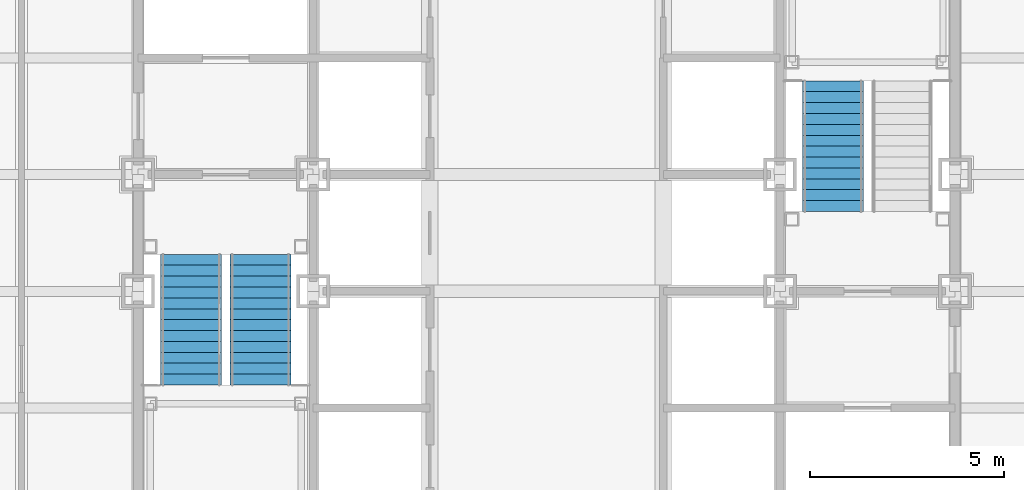
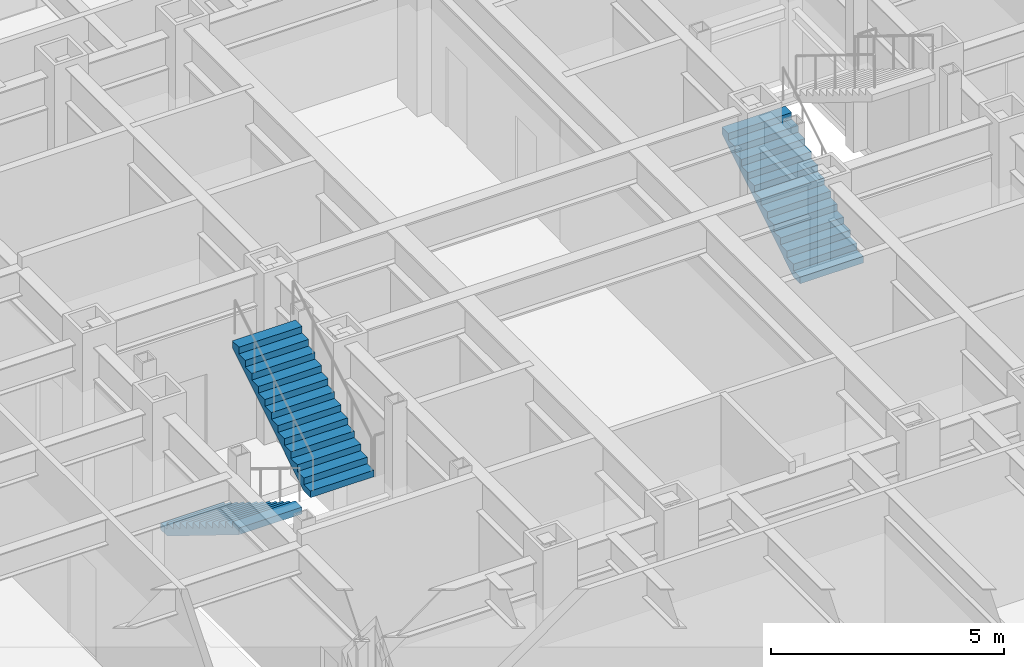
# One storey, part 12 of 16: 3 stair flights, 2 elements without a shape of their own.
"""IFC4 building model written with IfcOpenShell, lengths in metres."""

from ifc_helpers import new_model, si_unit, direction, frame, origin, place, context, subcontext, project, spatial, faceted_brep, material, type_object, element, aggregate, save


model = new_model("IFC4")

# Units and contexts
model_context = context("Model", 3, precision=1e-05, world=origin(), true_north=direction((0.0, 1.0)))
body_context = subcontext(model_context, "Body", "Model", "MODEL_VIEW")
ifc_project = project(units=[si_unit("LENGTHUNIT", "METRE"), si_unit("AREAUNIT", "SQUARE_METRE"), si_unit("VOLUMEUNIT", "CUBIC_METRE"), si_unit("PLANEANGLEUNIT", "RADIAN"), si_unit("MASSUNIT", "GRAM", prefix="KILO")], contexts=[model_context])

# Site, building, storey
site_placement = place(None, origin())
site = spatial("IfcSite", under=ifc_project, at=site_placement, CompositionType="ELEMENT")
building_placement = place(site_placement, origin())
building = spatial("IfcBuilding", under=site, at=building_placement, Name="Chuquiago Exchange Tower", CompositionType="ELEMENT")
storey_placement = place(building_placement, frame((0.0, 0.0, 51.300048828125)))
storey = spatial("IfcBuildingStorey", under=building, at=storey_placement, Name="L10", CompositionType="ELEMENT", Elevation=51.300048828125)

# Stair, stair flights
ifc_material_1 = material(Name="Concrete C30/37, precast", Category="concrete")
stair_type_1 = type_object("IfcStairType", Name="ST1 half-turn stair 4500", PredefinedType="HALF_TURN_STAIR", material=ifc_material_1)
stair_1_placement = place(storey_placement, origin())
stair_1 = element("IfcStair", 1, at=stair_1_placement, inside=storey, type_object=stair_type_1, Name="Stair ST1 L10", PredefinedType="HALF_TURN_STAIR")
ifc_material_2 = material(Name="Concrete C30/37, precast", Category="concrete")
stair_flight_type = type_object("IfcStairFlightType", Name="ST-F flight 1570 for 4500 storey", PredefinedType="STRAIGHT", material=ifc_material_2)
stair_flight_1_placement = place(storey_placement, frame((13.360107421875, 21.949951171875, 0.0), z_axis=(0.0, 0.0, 1.0), x_axis=(0.0, -1.0, 0.0)))
stair_flight_1 = element("IfcStairFlight", 2, at=stair_flight_1_placement, type_object=stair_flight_type, Name="ST1 flight 1", NumberOfRisers=13, NumberOfTreads=12, PredefinedType="STRAIGHT", RiserHeight=0.173076923, TreadLength=0.28, context=body_context, shape_type="Brep", body=[
    faceted_brep([(0.0, 0.78515625, 0.0), (0.0, 0.78515625, 0.173095703125), (0.280029296875, 0.78515625, 0.173095703125), (0.280029296875, 0.78515625, 0.34619140625), (0.56005859375, 0.78515625, 0.34619140625), (0.56005859375, 0.78515625, 0.519287109375), (0.840087890625, 0.78515625, 0.519287109375), (0.840087890625, 0.78515625, 0.6923828125), (1.1201171875, 0.78515625, 0.6923828125), (1.1201171875, 0.78515625, 0.865478515625), (1.39990234375, 0.78515625, 0.865478515625), (1.39990234375, 0.78515625, 1.03857421875), (1.679931640625, 0.78515625, 1.03857421875), (1.679931640625, 0.78515625, 1.21142578125), (1.9599609375, 0.78515625, 1.21142578125), (1.9599609375, 0.78515625, 1.384521484375), (2.239990234375, 0.78515625, 1.384521484375), (2.239990234375, 0.78515625, 1.5576171875), (2.52001953125, 0.78515625, 1.5576171875), (2.52001953125, 0.78515625, 1.730712890625), (2.800048828125, 0.78515625, 1.730712890625), (2.800048828125, 0.78515625, 1.90380859375), (3.080078125, 0.78515625, 1.90380859375), (3.080078125, 0.78515625, 2.076904296875), (3.360107421875, 0.78515625, 2.076904296875), (3.360107421875, 0.78515625, 1.900634765625), (0.28515625, 0.78515625, 0.0), (0.28515625, -0.78515625, 0.0), (3.360107421875, -0.78515625, 1.900634765625), (3.360107421875, -0.78515625, 2.076904296875), (3.080078125, -0.78515625, 2.076904296875), (3.080078125, -0.78515625, 1.90380859375), (2.800048828125, -0.78515625, 1.90380859375), (2.800048828125, -0.78515625, 1.730712890625), (2.52001953125, -0.78515625, 1.730712890625), (2.52001953125, -0.78515625, 1.5576171875), (2.239990234375, -0.78515625, 1.5576171875), (2.239990234375, -0.78515625, 1.384521484375), (1.9599609375, -0.78515625, 1.384521484375), (1.9599609375, -0.78515625, 1.21142578125), (1.679931640625, -0.78515625, 1.21142578125), (1.679931640625, -0.78515625, 1.03857421875), (1.39990234375, -0.78515625, 1.03857421875), (1.39990234375, -0.78515625, 0.865478515625), (1.1201171875, -0.78515625, 0.865478515625), (1.1201171875, -0.78515625, 0.6923828125), (0.840087890625, -0.78515625, 0.6923828125), (0.840087890625, -0.78515625, 0.519287109375), (0.56005859375, -0.78515625, 0.519287109375), (0.56005859375, -0.78515625, 0.34619140625), (0.280029296875, -0.78515625, 0.34619140625), (0.280029296875, -0.78515625, 0.173095703125), (0.0, -0.78515625, 0.173095703125), (0.0, -0.78515625, 0.0), (0.0, 0.392578125, 0.0), (0.0, 0.392578125, 0.173095703125), (0.0, 0.0, 0.0), (0.0, 0.0, 0.173095703125), (0.0, -0.392578125, 0.0), (0.0, -0.392578125, 0.173095703125), (0.280029296875, 0.392578125, 0.173095703125), (0.280029296875, 0.0, 0.173095703125), (0.280029296875, -0.392578125, 0.173095703125), (0.280029296875, 0.392578125, 0.34619140625), (0.280029296875, 0.0, 0.34619140625), (0.280029296875, -0.392578125, 0.34619140625), (0.56005859375, 0.392578125, 0.34619140625), (0.56005859375, 0.0, 0.34619140625), (0.56005859375, -0.392578125, 0.34619140625), (0.56005859375, 0.392578125, 0.519287109375), (0.56005859375, 0.0, 0.519287109375), (0.56005859375, -0.392578125, 0.519287109375), (0.840087890625, 0.392578125, 0.519287109375), (0.840087890625, 0.0, 0.519287109375), (0.840087890625, -0.392578125, 0.519287109375), (0.840087890625, 0.392578125, 0.6923828125), (0.840087890625, 0.0, 0.6923828125), (0.840087890625, -0.392578125, 0.6923828125), (1.1201171875, 0.392578125, 0.6923828125), (1.1201171875, 0.0, 0.6923828125), (1.1201171875, -0.392578125, 0.6923828125), (1.1201171875, 0.392578125, 0.865478515625), (1.1201171875, 0.0, 0.865478515625), (1.1201171875, -0.392578125, 0.865478515625), (1.39990234375, 0.392578125, 0.865478515625), (1.39990234375, 0.0, 0.865478515625), (1.39990234375, -0.392578125, 0.865478515625), (1.39990234375, 0.392578125, 1.03857421875), (1.39990234375, 0.0, 1.03857421875), (1.39990234375, -0.392578125, 1.03857421875), (1.679931640625, 0.392578125, 1.03857421875), (1.679931640625, 0.0, 1.03857421875), (1.679931640625, -0.392578125, 1.03857421875), (1.679931640625, 0.392578125, 1.21142578125), (1.679931640625, 0.0, 1.21142578125), (1.679931640625, -0.392578125, 1.21142578125), (1.9599609375, 0.392578125, 1.21142578125), (1.9599609375, 0.0, 1.21142578125), (1.9599609375, -0.392578125, 1.21142578125), (1.9599609375, 0.392578125, 1.384521484375), (1.9599609375, 0.0, 1.384521484375), (1.9599609375, -0.392578125, 1.384521484375), (2.239990234375, 0.392578125, 1.384521484375), (2.239990234375, 0.0, 1.384521484375), (2.239990234375, -0.392578125, 1.384521484375), (2.239990234375, 0.392578125, 1.5576171875), (2.239990234375, 0.0, 1.5576171875), (2.239990234375, -0.392578125, 1.5576171875), (2.52001953125, 0.392578125, 1.5576171875), (2.52001953125, 0.0, 1.5576171875), (2.52001953125, -0.392578125, 1.5576171875), (2.52001953125, 0.392578125, 1.730712890625), (2.52001953125, 0.0, 1.730712890625), (2.52001953125, -0.392578125, 1.730712890625), (2.800048828125, 0.392578125, 1.730712890625), (2.800048828125, 0.0, 1.730712890625), (2.800048828125, -0.392578125, 1.730712890625), (2.800048828125, 0.392578125, 1.90380859375), (2.800048828125, 0.0, 1.90380859375), (2.800048828125, -0.392578125, 1.90380859375), (3.080078125, 0.392578125, 1.90380859375), (3.080078125, 0.0, 1.90380859375), (3.080078125, -0.392578125, 1.90380859375), (3.080078125, 0.392578125, 2.076904296875), (3.080078125, 0.0, 2.076904296875), (3.080078125, -0.392578125, 2.076904296875), (3.360107421875, 0.392578125, 2.076904296875), (3.360107421875, 0.0, 2.076904296875), (3.360107421875, -0.392578125, 2.076904296875), (3.360107421875, 0.392578125, 1.900634765625), (3.360107421875, 0.0, 1.900634765625), (3.360107421875, -0.392578125, 1.900634765625), (0.28515625, 0.392578125, 0.0), (0.28515625, 0.0, 0.0), (0.28515625, -0.392578125, 0.0)], [[[0, 1, 2, 3, 4, 5, 6, 7, 8, 9, 10, 11, 12, 13, 14, 15, 16, 17, 18, 19, 20, 21, 22, 23, 24, 25, 26]], [[27, 28, 29, 30, 31, 32, 33, 34, 35, 36, 37, 38, 39, 40, 41, 42, 43, 44, 45, 46, 47, 48, 49, 50, 51, 52, 53]], [[1, 0, 54, 55]], [[55, 54, 56, 57]], [[57, 56, 58, 59]], [[59, 58, 53, 52]], [[2, 1, 55, 60]], [[60, 55, 57, 61]], [[61, 57, 59, 62]], [[62, 59, 52, 51]], [[3, 2, 60, 63]], [[63, 60, 61, 64]], [[64, 61, 62, 65]], [[65, 62, 51, 50]], [[4, 3, 63, 66]], [[66, 63, 64, 67]], [[67, 64, 65, 68]], [[68, 65, 50, 49]], [[5, 4, 66, 69]], [[69, 66, 67, 70]], [[70, 67, 68, 71]], [[71, 68, 49, 48]], [[6, 5, 69, 72]], [[72, 69, 70, 73]], [[73, 70, 71, 74]], [[74, 71, 48, 47]], [[7, 6, 72, 75]], [[75, 72, 73, 76]], [[76, 73, 74, 77]], [[77, 74, 47, 46]], [[8, 7, 75, 78]], [[78, 75, 76, 79]], [[79, 76, 77, 80]], [[80, 77, 46, 45]], [[9, 8, 78, 81]], [[81, 78, 79, 82]], [[82, 79, 80, 83]], [[83, 80, 45, 44]], [[10, 9, 81, 84]], [[84, 81, 82, 85]], [[85, 82, 83, 86]], [[86, 83, 44, 43]], [[11, 10, 84, 87]], [[87, 84, 85, 88]], [[88, 85, 86, 89]], [[89, 86, 43, 42]], [[12, 11, 87, 90]], [[90, 87, 88, 91]], [[91, 88, 89, 92]], [[92, 89, 42, 41]], [[13, 12, 90, 93]], [[93, 90, 91, 94]], [[94, 91, 92, 95]], [[95, 92, 41, 40]], [[14, 13, 93, 96]], [[96, 93, 94, 97]], [[97, 94, 95, 98]], [[98, 95, 40, 39]], [[15, 14, 96, 99]], [[99, 96, 97, 100]], [[100, 97, 98, 101]], [[101, 98, 39, 38]], [[16, 15, 99, 102]], [[102, 99, 100, 103]], [[103, 100, 101, 104]], [[104, 101, 38, 37]], [[17, 16, 102, 105]], [[105, 102, 103, 106]], [[106, 103, 104, 107]], [[107, 104, 37, 36]], [[18, 17, 105, 108]], [[108, 105, 106, 109]], [[109, 106, 107, 110]], [[110, 107, 36, 35]], [[19, 18, 108, 111]], [[111, 108, 109, 112]], [[112, 109, 110, 113]], [[113, 110, 35, 34]], [[20, 19, 111, 114]], [[114, 111, 112, 115]], [[115, 112, 113, 116]], [[116, 113, 34, 33]], [[21, 20, 114, 117]], [[117, 114, 115, 118]], [[118, 115, 116, 119]], [[119, 116, 33, 32]], [[22, 21, 117, 120]], [[120, 117, 118, 121]], [[121, 118, 119, 122]], [[122, 119, 32, 31]], [[23, 22, 120, 123]], [[123, 120, 121, 124]], [[124, 121, 122, 125]], [[125, 122, 31, 30]], [[24, 23, 123, 126]], [[126, 123, 124, 127]], [[127, 124, 125, 128]], [[128, 125, 30, 29]], [[25, 24, 126, 129]], [[129, 126, 127, 130]], [[130, 127, 128, 131]], [[131, 128, 29, 28]], [[26, 25, 129, 132]], [[132, 129, 130, 133]], [[133, 130, 131, 134]], [[134, 131, 28, 27]], [[0, 26, 132, 54]], [[54, 132, 133, 56]], [[56, 133, 134, 58]], [[58, 134, 27, 53]]]),
])
stair_flight_2_placement = place(storey_placement, frame((15.139892578125, 18.590087890625, 2.25), z_axis=(0.0, 0.0, 1.0), x_axis=(0.0, 1.0, 0.0)))
stair_flight_2 = element("IfcStairFlight", 3, at=stair_flight_2_placement, type_object=stair_flight_type, Name="ST1 flight 2", NumberOfRisers=13, NumberOfTreads=12, PredefinedType="STRAIGHT", RiserHeight=0.173076923, TreadLength=0.28, context=body_context, shape_type="Brep", body=[
    faceted_brep([(0.0, 0.78515625, 0.0), (0.0, 0.78515625, 0.173095703125), (0.280029296875, 0.78515625, 0.173095703125), (0.280029296875, 0.78515625, 0.34619140625), (0.56005859375, 0.78515625, 0.34619140625), (0.56005859375, 0.78515625, 0.519287109375), (0.840087890625, 0.78515625, 0.519287109375), (0.840087890625, 0.78515625, 0.6923828125), (1.1201171875, 0.78515625, 0.6923828125), (1.1201171875, 0.78515625, 0.865478515625), (1.39990234375, 0.78515625, 0.865478515625), (1.39990234375, 0.78515625, 1.03857421875), (1.679931640625, 0.78515625, 1.03857421875), (1.679931640625, 0.78515625, 1.21142578125), (1.9599609375, 0.78515625, 1.21142578125), (1.9599609375, 0.78515625, 1.384521484375), (2.239990234375, 0.78515625, 1.384521484375), (2.239990234375, 0.78515625, 1.5576171875), (2.52001953125, 0.78515625, 1.5576171875), (2.52001953125, 0.78515625, 1.730712890625), (2.800048828125, 0.78515625, 1.730712890625), (2.800048828125, 0.78515625, 1.90380859375), (3.080078125, 0.78515625, 1.90380859375), (3.080078125, 0.78515625, 2.076904296875), (3.360107421875, 0.78515625, 2.076904296875), (3.360107421875, 0.78515625, 1.900634765625), (0.28515625, 0.78515625, 0.0), (0.28515625, -0.78515625, 0.0), (3.360107421875, -0.78515625, 1.900634765625), (3.360107421875, -0.78515625, 2.076904296875), (3.080078125, -0.78515625, 2.076904296875), (3.080078125, -0.78515625, 1.90380859375), (2.800048828125, -0.78515625, 1.90380859375), (2.800048828125, -0.78515625, 1.730712890625), (2.52001953125, -0.78515625, 1.730712890625), (2.52001953125, -0.78515625, 1.5576171875), (2.239990234375, -0.78515625, 1.5576171875), (2.239990234375, -0.78515625, 1.384521484375), (1.9599609375, -0.78515625, 1.384521484375), (1.9599609375, -0.78515625, 1.21142578125), (1.679931640625, -0.78515625, 1.21142578125), (1.679931640625, -0.78515625, 1.03857421875), (1.39990234375, -0.78515625, 1.03857421875), (1.39990234375, -0.78515625, 0.865478515625), (1.1201171875, -0.78515625, 0.865478515625), (1.1201171875, -0.78515625, 0.6923828125), (0.840087890625, -0.78515625, 0.6923828125), (0.840087890625, -0.78515625, 0.519287109375), (0.56005859375, -0.78515625, 0.519287109375), (0.56005859375, -0.78515625, 0.34619140625), (0.280029296875, -0.78515625, 0.34619140625), (0.280029296875, -0.78515625, 0.173095703125), (0.0, -0.78515625, 0.173095703125), (0.0, -0.78515625, 0.0), (0.0, 0.392578125, 0.0), (0.0, 0.392578125, 0.173095703125), (0.0, 0.0, 0.0), (0.0, 0.0, 0.173095703125), (0.0, -0.392578125, 0.0), (0.0, -0.392578125, 0.173095703125), (0.280029296875, 0.392578125, 0.173095703125), (0.280029296875, 0.0, 0.173095703125), (0.280029296875, -0.392578125, 0.173095703125), (0.280029296875, 0.392578125, 0.34619140625), (0.280029296875, 0.0, 0.34619140625), (0.280029296875, -0.392578125, 0.34619140625), (0.56005859375, 0.392578125, 0.34619140625), (0.56005859375, 0.0, 0.34619140625), (0.56005859375, -0.392578125, 0.34619140625), (0.56005859375, 0.392578125, 0.519287109375), (0.56005859375, 0.0, 0.519287109375), (0.56005859375, -0.392578125, 0.519287109375), (0.840087890625, 0.392578125, 0.519287109375), (0.840087890625, 0.0, 0.519287109375), (0.840087890625, -0.392578125, 0.519287109375), (0.840087890625, 0.392578125, 0.6923828125), (0.840087890625, 0.0, 0.6923828125), (0.840087890625, -0.392578125, 0.6923828125), (1.1201171875, 0.392578125, 0.6923828125), (1.1201171875, 0.0, 0.6923828125), (1.1201171875, -0.392578125, 0.6923828125), (1.1201171875, 0.392578125, 0.865478515625), (1.1201171875, 0.0, 0.865478515625), (1.1201171875, -0.392578125, 0.865478515625), (1.39990234375, 0.392578125, 0.865478515625), (1.39990234375, 0.0, 0.865478515625), (1.39990234375, -0.392578125, 0.865478515625), (1.39990234375, 0.392578125, 1.03857421875), (1.39990234375, 0.0, 1.03857421875), (1.39990234375, -0.392578125, 1.03857421875), (1.679931640625, 0.392578125, 1.03857421875), (1.679931640625, 0.0, 1.03857421875), (1.679931640625, -0.392578125, 1.03857421875), (1.679931640625, 0.392578125, 1.21142578125), (1.679931640625, 0.0, 1.21142578125), (1.679931640625, -0.392578125, 1.21142578125), (1.9599609375, 0.392578125, 1.21142578125), (1.9599609375, 0.0, 1.21142578125), (1.9599609375, -0.392578125, 1.21142578125), (1.9599609375, 0.392578125, 1.384521484375), (1.9599609375, 0.0, 1.384521484375), (1.9599609375, -0.392578125, 1.384521484375), (2.239990234375, 0.392578125, 1.384521484375), (2.239990234375, 0.0, 1.384521484375), (2.239990234375, -0.392578125, 1.384521484375), (2.239990234375, 0.392578125, 1.5576171875), (2.239990234375, 0.0, 1.5576171875), (2.239990234375, -0.392578125, 1.5576171875), (2.52001953125, 0.392578125, 1.5576171875), (2.52001953125, 0.0, 1.5576171875), (2.52001953125, -0.392578125, 1.5576171875), (2.52001953125, 0.392578125, 1.730712890625), (2.52001953125, 0.0, 1.730712890625), (2.52001953125, -0.392578125, 1.730712890625), (2.800048828125, 0.392578125, 1.730712890625), (2.800048828125, 0.0, 1.730712890625), (2.800048828125, -0.392578125, 1.730712890625), (2.800048828125, 0.392578125, 1.90380859375), (2.800048828125, 0.0, 1.90380859375), (2.800048828125, -0.392578125, 1.90380859375), (3.080078125, 0.392578125, 1.90380859375), (3.080078125, 0.0, 1.90380859375), (3.080078125, -0.392578125, 1.90380859375), (3.080078125, 0.392578125, 2.076904296875), (3.080078125, 0.0, 2.076904296875), (3.080078125, -0.392578125, 2.076904296875), (3.360107421875, 0.392578125, 2.076904296875), (3.360107421875, 0.0, 2.076904296875), (3.360107421875, -0.392578125, 2.076904296875), (3.360107421875, 0.392578125, 1.900634765625), (3.360107421875, 0.0, 1.900634765625), (3.360107421875, -0.392578125, 1.900634765625), (0.28515625, 0.392578125, 0.0), (0.28515625, 0.0, 0.0), (0.28515625, -0.392578125, 0.0)], [[[0, 1, 2, 3, 4, 5, 6, 7, 8, 9, 10, 11, 12, 13, 14, 15, 16, 17, 18, 19, 20, 21, 22, 23, 24, 25, 26]], [[27, 28, 29, 30, 31, 32, 33, 34, 35, 36, 37, 38, 39, 40, 41, 42, 43, 44, 45, 46, 47, 48, 49, 50, 51, 52, 53]], [[1, 0, 54, 55]], [[55, 54, 56, 57]], [[57, 56, 58, 59]], [[59, 58, 53, 52]], [[2, 1, 55, 60]], [[60, 55, 57, 61]], [[61, 57, 59, 62]], [[62, 59, 52, 51]], [[3, 2, 60, 63]], [[63, 60, 61, 64]], [[64, 61, 62, 65]], [[65, 62, 51, 50]], [[4, 3, 63, 66]], [[66, 63, 64, 67]], [[67, 64, 65, 68]], [[68, 65, 50, 49]], [[5, 4, 66, 69]], [[69, 66, 67, 70]], [[70, 67, 68, 71]], [[71, 68, 49, 48]], [[6, 5, 69, 72]], [[72, 69, 70, 73]], [[73, 70, 71, 74]], [[74, 71, 48, 47]], [[7, 6, 72, 75]], [[75, 72, 73, 76]], [[76, 73, 74, 77]], [[77, 74, 47, 46]], [[8, 7, 75, 78]], [[78, 75, 76, 79]], [[79, 76, 77, 80]], [[80, 77, 46, 45]], [[9, 8, 78, 81]], [[81, 78, 79, 82]], [[82, 79, 80, 83]], [[83, 80, 45, 44]], [[10, 9, 81, 84]], [[84, 81, 82, 85]], [[85, 82, 83, 86]], [[86, 83, 44, 43]], [[11, 10, 84, 87]], [[87, 84, 85, 88]], [[88, 85, 86, 89]], [[89, 86, 43, 42]], [[12, 11, 87, 90]], [[90, 87, 88, 91]], [[91, 88, 89, 92]], [[92, 89, 42, 41]], [[13, 12, 90, 93]], [[93, 90, 91, 94]], [[94, 91, 92, 95]], [[95, 92, 41, 40]], [[14, 13, 93, 96]], [[96, 93, 94, 97]], [[97, 94, 95, 98]], [[98, 95, 40, 39]], [[15, 14, 96, 99]], [[99, 96, 97, 100]], [[100, 97, 98, 101]], [[101, 98, 39, 38]], [[16, 15, 99, 102]], [[102, 99, 100, 103]], [[103, 100, 101, 104]], [[104, 101, 38, 37]], [[17, 16, 102, 105]], [[105, 102, 103, 106]], [[106, 103, 104, 107]], [[107, 104, 37, 36]], [[18, 17, 105, 108]], [[108, 105, 106, 109]], [[109, 106, 107, 110]], [[110, 107, 36, 35]], [[19, 18, 108, 111]], [[111, 108, 109, 112]], [[112, 109, 110, 113]], [[113, 110, 35, 34]], [[20, 19, 111, 114]], [[114, 111, 112, 115]], [[115, 112, 113, 116]], [[116, 113, 34, 33]], [[21, 20, 114, 117]], [[117, 114, 115, 118]], [[118, 115, 116, 119]], [[119, 116, 33, 32]], [[22, 21, 117, 120]], [[120, 117, 118, 121]], [[121, 118, 119, 122]], [[122, 119, 32, 31]], [[23, 22, 120, 123]], [[123, 120, 121, 124]], [[124, 121, 122, 125]], [[125, 122, 31, 30]], [[24, 23, 123, 126]], [[126, 123, 124, 127]], [[127, 124, 125, 128]], [[128, 125, 30, 29]], [[25, 24, 126, 129]], [[129, 126, 127, 130]], [[130, 127, 128, 131]], [[131, 128, 29, 28]], [[26, 25, 129, 132]], [[132, 129, 130, 133]], [[133, 130, 131, 134]], [[134, 131, 28, 27]], [[0, 26, 132, 54]], [[54, 132, 133, 56]], [[56, 133, 134, 58]], [[58, 134, 27, 53]]]),
])
aggregate(stair_1, [stair_flight_1, stair_flight_2])

# Stair, stair flight
ifc_material_3 = material(Name="Concrete C30/37, precast", Category="concrete")
stair_type_2 = type_object("IfcStairType", Name="ST2 half-turn stair 4500", PredefinedType="HALF_TURN_STAIR", material=ifc_material_3)
stair_2_placement = place(storey_placement, origin())
stair_2 = element("IfcStair", 4, at=stair_2_placement, inside=storey, type_object=stair_type_2, Name="Stair ST2 L10", PredefinedType="HALF_TURN_STAIR")
stair_flight_3_placement = place(storey_placement, frame((29.860107421875, 23.050048828125, 0.0), z_axis=(0.0, 0.0, 1.0), x_axis=(0.0, 1.0, 0.0)))
stair_flight_3 = element("IfcStairFlight", 5, at=stair_flight_3_placement, type_object=stair_flight_type, Name="ST2 flight 1", NumberOfRisers=13, NumberOfTreads=12, PredefinedType="STRAIGHT", RiserHeight=0.173076923, TreadLength=0.28, context=body_context, shape_type="Brep", body=[
    faceted_brep([(0.0, 0.78515625, 0.0), (0.0, 0.78515625, 0.173095703125), (0.280029296875, 0.78515625, 0.173095703125), (0.280029296875, 0.78515625, 0.34619140625), (0.56005859375, 0.78515625, 0.34619140625), (0.56005859375, 0.78515625, 0.519287109375), (0.840087890625, 0.78515625, 0.519287109375), (0.840087890625, 0.78515625, 0.6923828125), (1.1201171875, 0.78515625, 0.6923828125), (1.1201171875, 0.78515625, 0.865478515625), (1.39990234375, 0.78515625, 0.865478515625), (1.39990234375, 0.78515625, 1.03857421875), (1.679931640625, 0.78515625, 1.03857421875), (1.679931640625, 0.78515625, 1.21142578125), (1.9599609375, 0.78515625, 1.21142578125), (1.9599609375, 0.78515625, 1.384521484375), (2.239990234375, 0.78515625, 1.384521484375), (2.239990234375, 0.78515625, 1.5576171875), (2.52001953125, 0.78515625, 1.5576171875), (2.52001953125, 0.78515625, 1.730712890625), (2.800048828125, 0.78515625, 1.730712890625), (2.800048828125, 0.78515625, 1.90380859375), (3.080078125, 0.78515625, 1.90380859375), (3.080078125, 0.78515625, 2.076904296875), (3.360107421875, 0.78515625, 2.076904296875), (3.360107421875, 0.78515625, 1.900634765625), (0.28515625, 0.78515625, 0.0), (0.28515625, -0.78515625, 0.0), (3.360107421875, -0.78515625, 1.900634765625), (3.360107421875, -0.78515625, 2.076904296875), (3.080078125, -0.78515625, 2.076904296875), (3.080078125, -0.78515625, 1.90380859375), (2.800048828125, -0.78515625, 1.90380859375), (2.800048828125, -0.78515625, 1.730712890625), (2.52001953125, -0.78515625, 1.730712890625), (2.52001953125, -0.78515625, 1.5576171875), (2.239990234375, -0.78515625, 1.5576171875), (2.239990234375, -0.78515625, 1.384521484375), (1.9599609375, -0.78515625, 1.384521484375), (1.9599609375, -0.78515625, 1.21142578125), (1.679931640625, -0.78515625, 1.21142578125), (1.679931640625, -0.78515625, 1.03857421875), (1.39990234375, -0.78515625, 1.03857421875), (1.39990234375, -0.78515625, 0.865478515625), (1.1201171875, -0.78515625, 0.865478515625), (1.1201171875, -0.78515625, 0.6923828125), (0.840087890625, -0.78515625, 0.6923828125), (0.840087890625, -0.78515625, 0.519287109375), (0.56005859375, -0.78515625, 0.519287109375), (0.56005859375, -0.78515625, 0.34619140625), (0.280029296875, -0.78515625, 0.34619140625), (0.280029296875, -0.78515625, 0.173095703125), (0.0, -0.78515625, 0.173095703125), (0.0, -0.78515625, 0.0), (0.0, 0.392578125, 0.0), (0.0, 0.392578125, 0.173095703125), (0.0, 0.0, 0.0), (0.0, 0.0, 0.173095703125), (0.0, -0.392578125, 0.0), (0.0, -0.392578125, 0.173095703125), (0.280029296875, 0.392578125, 0.173095703125), (0.280029296875, 0.0, 0.173095703125), (0.280029296875, -0.392578125, 0.173095703125), (0.280029296875, 0.392578125, 0.34619140625), (0.280029296875, 0.0, 0.34619140625), (0.280029296875, -0.392578125, 0.34619140625), (0.56005859375, 0.392578125, 0.34619140625), (0.56005859375, 0.0, 0.34619140625), (0.56005859375, -0.392578125, 0.34619140625), (0.56005859375, 0.392578125, 0.519287109375), (0.56005859375, 0.0, 0.519287109375), (0.56005859375, -0.392578125, 0.519287109375), (0.840087890625, 0.392578125, 0.519287109375), (0.840087890625, 0.0, 0.519287109375), (0.840087890625, -0.392578125, 0.519287109375), (0.840087890625, 0.392578125, 0.6923828125), (0.840087890625, 0.0, 0.6923828125), (0.840087890625, -0.392578125, 0.6923828125), (1.1201171875, 0.392578125, 0.6923828125), (1.1201171875, 0.0, 0.6923828125), (1.1201171875, -0.392578125, 0.6923828125), (1.1201171875, 0.392578125, 0.865478515625), (1.1201171875, 0.0, 0.865478515625), (1.1201171875, -0.392578125, 0.865478515625), (1.39990234375, 0.392578125, 0.865478515625), (1.39990234375, 0.0, 0.865478515625), (1.39990234375, -0.392578125, 0.865478515625), (1.39990234375, 0.392578125, 1.03857421875), (1.39990234375, 0.0, 1.03857421875), (1.39990234375, -0.392578125, 1.03857421875), (1.679931640625, 0.392578125, 1.03857421875), (1.679931640625, 0.0, 1.03857421875), (1.679931640625, -0.392578125, 1.03857421875), (1.679931640625, 0.392578125, 1.21142578125), (1.679931640625, 0.0, 1.21142578125), (1.679931640625, -0.392578125, 1.21142578125), (1.9599609375, 0.392578125, 1.21142578125), (1.9599609375, 0.0, 1.21142578125), (1.9599609375, -0.392578125, 1.21142578125), (1.9599609375, 0.392578125, 1.384521484375), (1.9599609375, 0.0, 1.384521484375), (1.9599609375, -0.392578125, 1.384521484375), (2.239990234375, 0.392578125, 1.384521484375), (2.239990234375, 0.0, 1.384521484375), (2.239990234375, -0.392578125, 1.384521484375), (2.239990234375, 0.392578125, 1.5576171875), (2.239990234375, 0.0, 1.5576171875), (2.239990234375, -0.392578125, 1.5576171875), (2.52001953125, 0.392578125, 1.5576171875), (2.52001953125, 0.0, 1.5576171875), (2.52001953125, -0.392578125, 1.5576171875), (2.52001953125, 0.392578125, 1.730712890625), (2.52001953125, 0.0, 1.730712890625), (2.52001953125, -0.392578125, 1.730712890625), (2.800048828125, 0.392578125, 1.730712890625), (2.800048828125, 0.0, 1.730712890625), (2.800048828125, -0.392578125, 1.730712890625), (2.800048828125, 0.392578125, 1.90380859375), (2.800048828125, 0.0, 1.90380859375), (2.800048828125, -0.392578125, 1.90380859375), (3.080078125, 0.392578125, 1.90380859375), (3.080078125, 0.0, 1.90380859375), (3.080078125, -0.392578125, 1.90380859375), (3.080078125, 0.392578125, 2.076904296875), (3.080078125, 0.0, 2.076904296875), (3.080078125, -0.392578125, 2.076904296875), (3.360107421875, 0.392578125, 2.076904296875), (3.360107421875, 0.0, 2.076904296875), (3.360107421875, -0.392578125, 2.076904296875), (3.360107421875, 0.392578125, 1.900634765625), (3.360107421875, 0.0, 1.900634765625), (3.360107421875, -0.392578125, 1.900634765625), (0.28515625, 0.392578125, 0.0), (0.28515625, 0.0, 0.0), (0.28515625, -0.392578125, 0.0)], [[[0, 1, 2, 3, 4, 5, 6, 7, 8, 9, 10, 11, 12, 13, 14, 15, 16, 17, 18, 19, 20, 21, 22, 23, 24, 25, 26]], [[27, 28, 29, 30, 31, 32, 33, 34, 35, 36, 37, 38, 39, 40, 41, 42, 43, 44, 45, 46, 47, 48, 49, 50, 51, 52, 53]], [[1, 0, 54, 55]], [[55, 54, 56, 57]], [[57, 56, 58, 59]], [[59, 58, 53, 52]], [[2, 1, 55, 60]], [[60, 55, 57, 61]], [[61, 57, 59, 62]], [[62, 59, 52, 51]], [[3, 2, 60, 63]], [[63, 60, 61, 64]], [[64, 61, 62, 65]], [[65, 62, 51, 50]], [[4, 3, 63, 66]], [[66, 63, 64, 67]], [[67, 64, 65, 68]], [[68, 65, 50, 49]], [[5, 4, 66, 69]], [[69, 66, 67, 70]], [[70, 67, 68, 71]], [[71, 68, 49, 48]], [[6, 5, 69, 72]], [[72, 69, 70, 73]], [[73, 70, 71, 74]], [[74, 71, 48, 47]], [[7, 6, 72, 75]], [[75, 72, 73, 76]], [[76, 73, 74, 77]], [[77, 74, 47, 46]], [[8, 7, 75, 78]], [[78, 75, 76, 79]], [[79, 76, 77, 80]], [[80, 77, 46, 45]], [[9, 8, 78, 81]], [[81, 78, 79, 82]], [[82, 79, 80, 83]], [[83, 80, 45, 44]], [[10, 9, 81, 84]], [[84, 81, 82, 85]], [[85, 82, 83, 86]], [[86, 83, 44, 43]], [[11, 10, 84, 87]], [[87, 84, 85, 88]], [[88, 85, 86, 89]], [[89, 86, 43, 42]], [[12, 11, 87, 90]], [[90, 87, 88, 91]], [[91, 88, 89, 92]], [[92, 89, 42, 41]], [[13, 12, 90, 93]], [[93, 90, 91, 94]], [[94, 91, 92, 95]], [[95, 92, 41, 40]], [[14, 13, 93, 96]], [[96, 93, 94, 97]], [[97, 94, 95, 98]], [[98, 95, 40, 39]], [[15, 14, 96, 99]], [[99, 96, 97, 100]], [[100, 97, 98, 101]], [[101, 98, 39, 38]], [[16, 15, 99, 102]], [[102, 99, 100, 103]], [[103, 100, 101, 104]], [[104, 101, 38, 37]], [[17, 16, 102, 105]], [[105, 102, 103, 106]], [[106, 103, 104, 107]], [[107, 104, 37, 36]], [[18, 17, 105, 108]], [[108, 105, 106, 109]], [[109, 106, 107, 110]], [[110, 107, 36, 35]], [[19, 18, 108, 111]], [[111, 108, 109, 112]], [[112, 109, 110, 113]], [[113, 110, 35, 34]], [[20, 19, 111, 114]], [[114, 111, 112, 115]], [[115, 112, 113, 116]], [[116, 113, 34, 33]], [[21, 20, 114, 117]], [[117, 114, 115, 118]], [[118, 115, 116, 119]], [[119, 116, 33, 32]], [[22, 21, 117, 120]], [[120, 117, 118, 121]], [[121, 118, 119, 122]], [[122, 119, 32, 31]], [[23, 22, 120, 123]], [[123, 120, 121, 124]], [[124, 121, 122, 125]], [[125, 122, 31, 30]], [[24, 23, 123, 126]], [[126, 123, 124, 127]], [[127, 124, 125, 128]], [[128, 125, 30, 29]], [[25, 24, 126, 129]], [[129, 126, 127, 130]], [[130, 127, 128, 131]], [[131, 128, 29, 28]], [[26, 25, 129, 132]], [[132, 129, 130, 133]], [[133, 130, 131, 134]], [[134, 131, 28, 27]], [[0, 26, 132, 54]], [[54, 132, 133, 56]], [[56, 133, 134, 58]], [[58, 134, 27, 53]]]),
])
aggregate(stair_2, [stair_flight_3])

save(model, "model.ifc")
